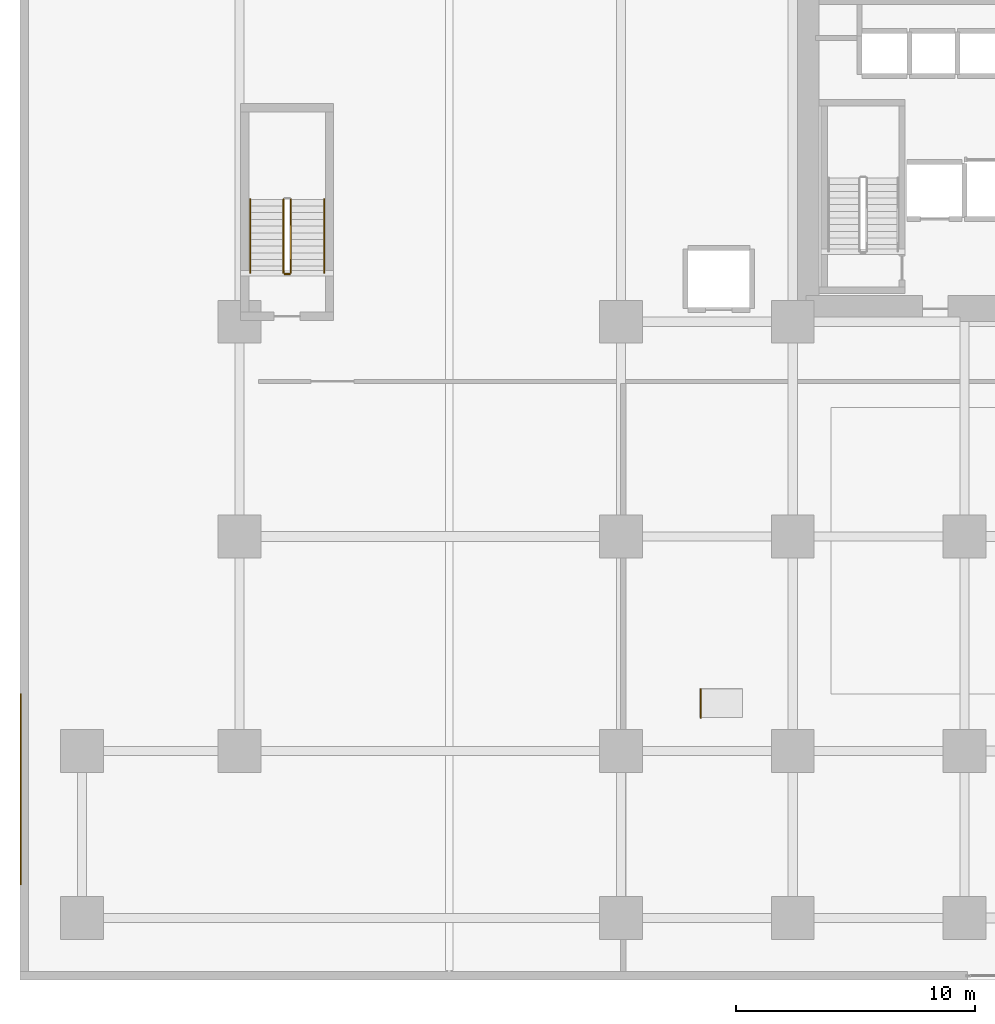
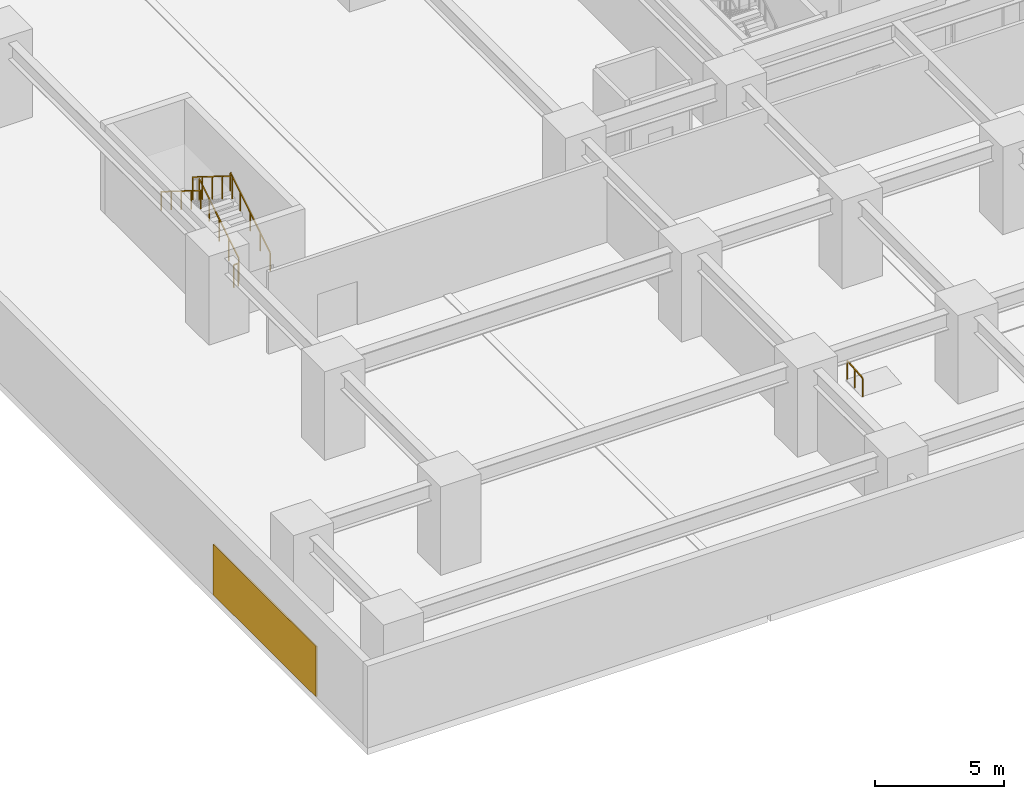
# One storey, part 15 of 22: 6 railings, 1 covering.
"""IFC4 building model written with IfcOpenShell, lengths in metres."""

from ifc_helpers import new_model, si_unit, direction, frame, origin, origin_2d, place, context, subcontext, project, spatial, polyline, rectangle, outline, extrude, material, layer, layer_set, type_object, element, save


model = new_model("IFC4")

# Units and contexts
model_context = context("Model", 3, precision=1e-05, world=origin(), true_north=direction((0.0, 1.0)))
body_context = subcontext(model_context, "Body", "Model", "MODEL_VIEW")
ifc_project = project(units=[si_unit("LENGTHUNIT", "METRE"), si_unit("AREAUNIT", "SQUARE_METRE"), si_unit("VOLUMEUNIT", "CUBIC_METRE"), si_unit("PLANEANGLEUNIT", "RADIAN"), si_unit("MASSUNIT", "GRAM", prefix="KILO")], contexts=[model_context])

# Site, building, storey
site_placement = place(None, origin())
site = spatial("IfcSite", under=ifc_project, at=site_placement, CompositionType="ELEMENT")
building_placement = place(site_placement, origin())
building = spatial("IfcBuilding", under=site, at=building_placement, Name="Kiyonajd Concourse Tower", CompositionType="ELEMENT")
storey_placement = place(building_placement, frame((0.0, 0.0, 4.5)))
storey = spatial("IfcBuildingStorey", under=building, at=storey_placement, Name="L02", CompositionType="ELEMENT", Elevation=4.5)

# Covering
ifc_material_1 = material(Name="Riyadh Jubaila Limestone", Category="masonry")
ifc_layer = layer(ifc_material_1, 0.06005859375)
ifc_layer_set = layer_set([ifc_layer], Name="Riyadh Jubaila Limestone")
covering_type = type_object("IfcCoveringType", Name="CV-CLD-STONE", PredefinedType="CLADDING", material=ifc_layer_set)
covering_placement = place(storey_placement, origin())
element("IfcCovering", 1, at=covering_placement, inside=storey, type_object=covering_type, Name="L02 Riyadh Jubaila Limestone Pier Cladding 1", PredefinedType="CLADDING", context=body_context, shape_type="SweptSolid", body=[
    extrude(outline(polyline([(0.0, 4.0), (0.06005859375, 4.0), (0.06005859375, 12.0), (0.0, 12.0), (0.0, 4.0)])), origin(), (0.0, 0.0, 1.0), 2.39990234375),
])

# Railings
ifc_material_2 = material(Name="Steel ASTM A500 Grade C", Category="steel")
railing_type_1 = type_object("IfcRailingType", Name="RL-GRD-STR", PredefinedType="GUARDRAIL", material=ifc_material_2)
railing_1_placement = place(storey_placement, frame((11.35009765625, 29.64990234375, 0.175048828125)))
element("IfcRailing", 2, at=railing_1_placement, inside=storey, type_object=railing_type_1, Name="L02 ST4 stair guard 1", PredefinedType="GUARDRAIL", context=body_context, shape_type="SweptSolid", body=[
    extrude(rectangle(XDim=0.048095703125, YDim=0.048095703125, at=origin_2d()), frame((0.0, 0.0, 1.076171875), z_axis=(0.0, 0.847998304005, 0.529998940003), x_axis=(-1.0, 0.0, 0.0)), (0.0, 0.0, 1.0), 3.632080078125),
    extrude(rectangle(XDim=0.0419921875, YDim=0.0419921875, at=origin_2d()), origin(), (0.0, 0.0, 1.0), 1.052001953125),
    extrude(rectangle(XDim=0.0419921875, YDim=0.0419921875, at=origin_2d()), frame((0.0, 0.77001953125, 0.481201171875)), (0.0, 0.0, 1.0), 1.052001953125),
    extrude(rectangle(XDim=0.0419921875, YDim=0.0419921875, at=origin_2d()), frame((0.0, 1.5400390625, 0.96240234375)), (0.0, 0.0, 1.0), 1.052001953125),
    extrude(rectangle(XDim=0.0419921875, YDim=0.0419921875, at=origin_2d()), frame((0.0, 2.31005859375, 1.44384765625)), (0.0, 0.0, 1.0), 1.052001953125),
    extrude(rectangle(XDim=0.0419921875, YDim=0.0419921875, at=origin_2d()), frame((0.0, 3.080078125, 1.925048828125)), (0.0, 0.0, 1.0), 1.052001953125),
])
railing_2_placement = place(storey_placement, frame((11.050048828125, 32.72998046875, 2.27490234375)))
element("IfcRailing", 3, at=railing_2_placement, inside=storey, type_object=railing_type_1, Name="L02 ST4 stair guard 3", PredefinedType="GUARDRAIL", context=body_context, shape_type="SweptSolid", body=[
    extrude(rectangle(XDim=0.048095703125, YDim=0.048095703125, at=origin_2d()), frame((0.0, 0.0, 1.076171875), z_axis=(0.0, -0.847998304005, 0.529998940003), x_axis=(1.0, 0.0, 0.0)), (0.0, 0.0, 1.0), 3.632080078125),
    extrude(rectangle(XDim=0.0419921875, YDim=0.0419921875, at=origin_2d()), origin(), (0.0, 0.0, 1.0), 1.052001953125),
    extrude(rectangle(XDim=0.0419921875, YDim=0.0419921875, at=origin_2d()), frame((0.0, -0.77001953125, 0.481201171875)), (0.0, 0.0, 1.0), 1.052001953125),
    extrude(rectangle(XDim=0.0419921875, YDim=0.0419921875, at=origin_2d()), frame((0.0, -1.5400390625, 0.96240234375)), (0.0, 0.0, 1.0), 1.052001953125),
    extrude(rectangle(XDim=0.0419921875, YDim=0.0419921875, at=origin_2d()), frame((0.0, -2.31005859375, 1.44384765625)), (0.0, 0.0, 1.0), 1.052001953125),
    extrude(rectangle(XDim=0.0419921875, YDim=0.0419921875, at=origin_2d()), frame((0.0, -3.080078125, 1.925048828125)), (0.0, 0.0, 1.0), 1.052001953125),
])
railing_3_placement = place(storey_placement, frame((11.300048828125, 29.60009765625, 0.0)))
element("IfcRailing", 4, at=railing_3_placement, inside=storey, type_object=railing_type_1, Name="L02 ST4 stair guard 4", PredefinedType="GUARDRAIL", context=body_context, shape_type="SweptSolid", body=[
    extrude(rectangle(XDim=0.048095703125, YDim=0.048095703125, at=origin_2d()), frame((0.0, 0.0, 1.076171875), z_axis=(-1.0, 0.0, 0.0), x_axis=(0.0, -1.0, 0.0)), (0.0, 0.0, 1.0), 0.199951171875),
    extrude(rectangle(XDim=0.0419921875, YDim=0.0419921875, at=origin_2d()), origin(), (0.0, 0.0, 1.0), 1.052001953125),
    extrude(rectangle(XDim=0.0419921875, YDim=0.0419921875, at=origin_2d()), frame((-0.199951171875, 0.0, 0.0)), (0.0, 0.0, 1.0), 1.052001953125),
])
ifc_material_3 = material(Name="Brushed Stainless Steel Cab Assembly", Category="steel")
railing_type_2 = type_object("IfcRailingType", Name="RL-HND-900", PredefinedType="HANDRAIL", material=ifc_material_3)
railing_4_placement = place(storey_placement, frame((12.75, 29.64990234375, 0.175048828125)))
element("IfcRailing", 5, at=railing_4_placement, inside=storey, type_object=railing_type_2, Name="L02 ST4 stair handrail 1", PredefinedType="HANDRAIL", context=body_context, shape_type="SweptSolid", body=[
    extrude(rectangle(XDim=0.048095703125, YDim=0.048095703125, at=origin_2d()), frame((0.0, 0.0, 0.8759765625), z_axis=(0.0, 0.847998304005, 0.529998940003), x_axis=(-1.0, 0.0, 0.0)), (0.0, 0.0, 1.0), 3.632080078125),
    extrude(rectangle(XDim=0.0419921875, YDim=0.0419921875, at=origin_2d()), origin(), (0.0, 0.0, 1.0), 0.851806640625),
    extrude(rectangle(XDim=0.0419921875, YDim=0.0419921875, at=origin_2d()), frame((0.0, 0.77001953125, 0.481201171875)), (0.0, 0.0, 1.0), 0.851806640625),
    extrude(rectangle(XDim=0.0419921875, YDim=0.0419921875, at=origin_2d()), frame((0.0, 1.5400390625, 0.96240234375)), (0.0, 0.0, 1.0), 0.851806640625),
    extrude(rectangle(XDim=0.0419921875, YDim=0.0419921875, at=origin_2d()), frame((0.0, 2.31005859375, 1.44384765625)), (0.0, 0.0, 1.0), 0.851806640625),
    extrude(rectangle(XDim=0.0419921875, YDim=0.0419921875, at=origin_2d()), frame((0.0, 3.080078125, 1.925048828125)), (0.0, 0.0, 1.0), 0.851806640625),
])
railing_5_placement = place(storey_placement, frame((9.64990234375, 32.72998046875, 2.27490234375)))
element("IfcRailing", 6, at=railing_5_placement, inside=storey, type_object=railing_type_2, Name="L02 ST4 stair handrail 2", PredefinedType="HANDRAIL", context=body_context, shape_type="SweptSolid", body=[
    extrude(rectangle(XDim=0.048095703125, YDim=0.048095703125, at=origin_2d()), frame((0.0, 0.0, 0.8759765625), z_axis=(0.0, -0.847998304005, 0.529998940003), x_axis=(1.0, 0.0, 0.0)), (0.0, 0.0, 1.0), 3.632080078125),
    extrude(rectangle(XDim=0.0419921875, YDim=0.0419921875, at=origin_2d()), origin(), (0.0, 0.0, 1.0), 0.851806640625),
    extrude(rectangle(XDim=0.0419921875, YDim=0.0419921875, at=origin_2d()), frame((0.0, -0.77001953125, 0.481201171875)), (0.0, 0.0, 1.0), 0.851806640625),
    extrude(rectangle(XDim=0.0419921875, YDim=0.0419921875, at=origin_2d()), frame((0.0, -1.5400390625, 0.96240234375)), (0.0, 0.0, 1.0), 0.851806640625),
    extrude(rectangle(XDim=0.0419921875, YDim=0.0419921875, at=origin_2d()), frame((0.0, -2.31005859375, 1.44384765625)), (0.0, 0.0, 1.0), 0.851806640625),
    extrude(rectangle(XDim=0.0419921875, YDim=0.0419921875, at=origin_2d()), frame((0.0, -3.080078125, 1.925048828125)), (0.0, 0.0, 1.0), 0.851806640625),
])
railing_6_placement = place(storey_placement, frame((28.550048828125, 11.0, 0.0)))
element("IfcRailing", 7, at=railing_6_placement, inside=storey, type_object=railing_type_2, Name="L02 Accessible Ramp Handrail", PredefinedType="HANDRAIL", context=body_context, shape_type="SweptSolid", body=[
    extrude(rectangle(XDim=0.048095703125, YDim=0.048095703125, at=origin_2d()), frame((0.0, 0.0, 0.8759765625), z_axis=(0.0, 0.996538763176, 0.083129378007), x_axis=(-1.0, 0.0, 0.0)), (0.0, 0.0, 1.0), 1.2041015625),
    extrude(rectangle(XDim=0.0419921875, YDim=0.0419921875, at=origin_2d()), origin(), (0.0, 0.0, 1.0), 0.851806640625),
    extrude(rectangle(XDim=0.0419921875, YDim=0.0419921875, at=origin_2d()), frame((0.0, 0.60009765625, 0.050048828125)), (0.0, 0.0, 1.0), 0.851806640625),
    extrude(rectangle(XDim=0.0419921875, YDim=0.0419921875, at=origin_2d()), frame((0.0, 1.199951171875, 0.10009765625)), (0.0, 0.0, 1.0), 0.851806640625),
])

save(model, "model.ifc")
